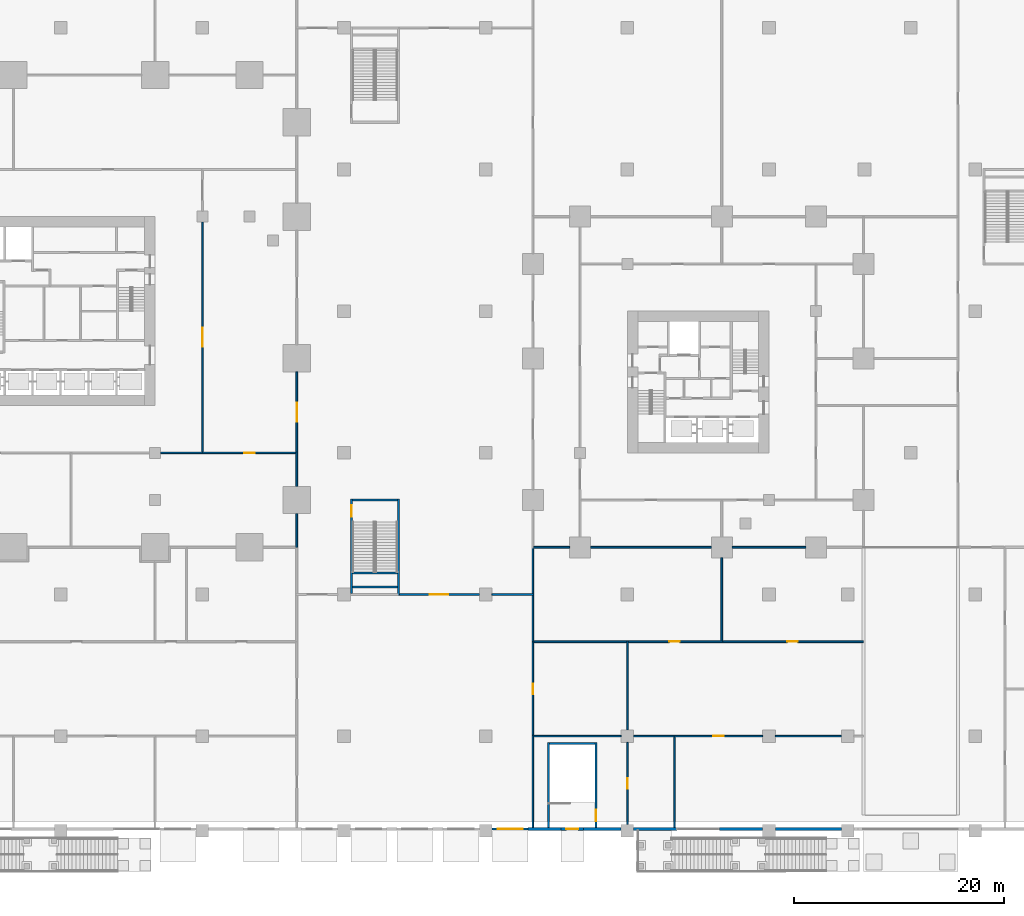
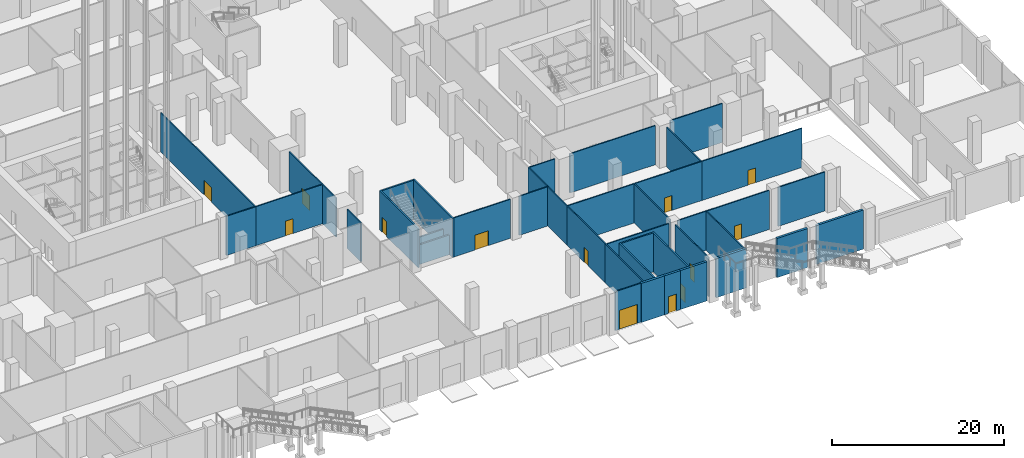
# One storey, part 27 of 68: 41 walls, 13 doors, 13 openings.
"""IFC4 building model written with IfcOpenShell, lengths in metres."""

from ifc_helpers import new_model, si_unit, direction, frame, frame_2d, origin, place, context, subcontext, project, spatial, rectangle, extrude, material, layer, layer_set, type_object, element, fill, save


model = new_model("IFC4")

# Units and contexts
model_context = context("Model", 3, precision=1e-05, world=origin(), true_north=direction((0.0, 1.0)))
body_context = subcontext(model_context, "Body", "Model", "MODEL_VIEW")
ifc_project = project(units=[si_unit("LENGTHUNIT", "METRE"), si_unit("AREAUNIT", "SQUARE_METRE"), si_unit("VOLUMEUNIT", "CUBIC_METRE"), si_unit("PLANEANGLEUNIT", "RADIAN"), si_unit("MASSUNIT", "GRAM", prefix="KILO")], contexts=[model_context])

# Site, building, storey
site_placement = place(None, origin())
site = spatial("IfcSite", under=ifc_project, at=site_placement, CompositionType="ELEMENT")
building_placement = place(site_placement, origin())
building = spatial("IfcBuilding", under=site, at=building_placement, Name="Altepetl Exchange Towers", CompositionType="ELEMENT")
storey_placement = place(building_placement, origin())
storey = spatial("IfcBuildingStorey", under=building, at=storey_placement, Name="L00 Ground concourse", CompositionType="ELEMENT", Elevation=0.0)

# Wall, opening, door
ifc_material_1 = material(Name="Aluminium composite cladding", Category="aluminium")
ifc_layer_1 = layer(ifc_material_1, 0.14990234375)
ifc_layer_set_1 = layer_set([ifc_layer_1], Name="Aluminium composite cladding")
wall_type_1 = type_object("IfcWallType", Name="Infill wall 150 aluminium panel", PredefinedType="SOLIDWALL", material=ifc_layer_set_1)
wall_1_placement = place(storey_placement, frame((90.60009765625, 0.14990234375, 0.0)))
wall_1 = element("IfcWall", 1, at=wall_1_placement, inside=storey, type_object=wall_type_1, Name="Door bay wall", PredefinedType="SOLIDWALL", context=body_context, shape_type="SweptSolid", body=[
    extrude(rectangle(XDim=3.449951171875, YDim=0.14990234375, at=frame_2d((1.72509765625, 0.0))), origin(), (0.0, 0.0, 1.0), 5.550048828125),
])
opening_1_placement = place(wall_1_placement, frame((0.550048828125, 0.0, 0.0)))
opening_1 = element("IfcOpeningElement", 2, at=opening_1_placement, cuts=wall_1, Name="Opening L00.E05", PredefinedType="OPENING", context=body_context, shape_type="SweptSolid", body=[
    extrude(rectangle(XDim=2.39990234375, YDim=2.699951171875, at=frame_2d((1.199951171875, 1.35009765625))), frame((0.0, 0.0849609375, 0.0), z_axis=(0.0, -1.0, 0.0), x_axis=(1.0, 0.0, 0.0)), (0.0, 0.0, 1.0), 0.169921875),
])
ifc_material_2 = material(Name="Aluminium 6063-T6 and glass", Category="aluminium")
door_type_1 = type_object("IfcDoorType", Name="Entrance door pair 2400x2700 pedestrian", OperationType="DOUBLE_DOOR_DOUBLE_SWING", PredefinedType="NOTDEFINED", material=ifc_material_2)
door_1_placement = place(opening_1_placement, frame((2.39990234375, 0.0, 0.0), x_axis=(-1.0, 0.0, 0.0)))
door_1 = element("IfcDoor", 3, at=door_1_placement, inside=storey, type_object=door_type_1, Name="Entrance door", OperationType="DOUBLE_DOOR_DOUBLE_SWING", OverallHeight=2.699951171875, OverallWidth=2.39990234375, PredefinedType="NOTDEFINED", context=body_context, shape_type="SweptSolid", body=[
    extrude(rectangle(XDim=2.39990234375, YDim=2.699951171875, at=frame_2d((1.199951171875, 1.35009765625))), frame((0.0, 0.02490234375, 0.0), z_axis=(0.0, -1.0, 0.0), x_axis=(1.0, 0.0, 0.0)), (0.0, 0.0, 1.0), 0.050048828125),
])
fill(opening_1, door_1)

# Walls
ifc_material_3 = material(Name="Reinforced concrete C35/45", Category="concrete")
ifc_layer_2 = layer(ifc_material_3, 0.199951171875)
ifc_layer_set_2 = layer_set([ifc_layer_2], Name="Reinforced concrete C35/45")
wall_type_2 = type_object("IfcWallType", Name="Landing support wall 200", PredefinedType="SOLIDWALL", material=ifc_layer_set_2)
for number, where, z_axis, x_axis, name in (
    (4, (81.60009765625, 24.5400390625, 0.0), (0.0, 0.0, 1.0), (-1.0, 0.0, 0.0), "wall:P:L00:PX1sup0"),
    (5, (81.60009765625, 23.199951171875, 0.0), (0.0, 0.0, 1.0), (-1.0, 0.0, 0.0), "wall:P:L00:PX1sup1"),
):
    element("IfcWall", number, at=place(storey_placement, frame(where, z_axis=z_axis, x_axis=x_axis)), inside=storey, type_object=wall_type_2, Name=name, PredefinedType="SOLIDWALL", context=body_context, shape_type="SweptSolid", body=[
        extrude(rectangle(XDim=4.300048828125, YDim=0.199951171875, at=frame_2d((2.14990234375, 0.0))), origin(), (0.0, 0.0, 1.0), 2.800048828125),
    ])

# Wall, opening, door
ifc_material_4 = material(Name="Gypsum board on steel studs", Category="steel")
ifc_layer_3 = layer(ifc_material_4, 0.14990234375)
ifc_layer_set_3 = layer_set([ifc_layer_3], Name="Gypsum board on steel studs")
wall_type_3 = type_object("IfcWallType", Name="Podium partition 150", PredefinedType="PARTITIONING", material=ifc_layer_set_3)
wall_2_placement = place(storey_placement, frame((81.800048828125, 22.5, 0.0)))
wall_2 = element("IfcWall", 6, at=wall_2_placement, inside=storey, type_object=wall_type_3, Name="wall:P:L00:P002", PredefinedType="PARTITIONING", context=body_context, shape_type="SweptSolid", body=[
    extrude(rectangle(XDim=7.60498046875, YDim=0.14990234375, at=frame_2d((3.802490234375, 0.0))), origin(), (0.0, 0.0, 1.0), 5.550048828125),
])
opening_2_placement = place(wall_2_placement, frame((2.85009765625, 0.0, 0.0)))
opening_2 = element("IfcOpeningElement", 7, at=opening_2_placement, cuts=wall_2, Name="Opening L00.P065", PredefinedType="OPENING", context=body_context, shape_type="SweptSolid", body=[
    extrude(rectangle(XDim=1.800048828125, YDim=2.10009765625, at=frame_2d((0.89990234375, 1.050048828125))), frame((0.0, 0.0849609375, 0.0), z_axis=(0.0, -1.0, 0.0), x_axis=(1.0, 0.0, 0.0)), (0.0, 0.0, 1.0), 0.169921875),
])
ifc_material_5 = material(Name="Glazed aluminium and steel", Category="steel")
door_type_2 = type_object("IfcDoorType", Name="Podium fire door 1800 x 2100 double leaf", OperationType="DOUBLE_DOOR_SINGLE_SWING", PredefinedType="DOOR", material=ifc_material_5)
door_2_placement = place(opening_2_placement, frame((1.800048828125, 0.0, 0.0), x_axis=(-1.0, 0.0, 0.0)))
door_2 = element("IfcDoor", 8, at=door_2_placement, inside=storey, type_object=door_type_2, Name="door:P:L00:065", OperationType="DOUBLE_DOOR_SINGLE_SWING", OverallHeight=2.10009765625, OverallWidth=1.800048828125, PredefinedType="DOOR", context=body_context, shape_type="SweptSolid", body=[
    extrude(rectangle(XDim=1.800048828125, YDim=2.10009765625, at=frame_2d((0.89990234375, 1.050048828125))), frame((0.0, 0.02490234375, 0.0), z_axis=(0.0, -1.0, 0.0), x_axis=(1.0, 0.0, 0.0)), (0.0, 0.0, 1.0), 0.050048828125),
])
fill(opening_2, door_2)

# Walls
wall_3_placement = place(storey_placement, frame((90.594970703125, 22.5, 0.0)))
element("IfcWall", 9, at=wall_3_placement, inside=storey, type_object=wall_type_3, Name="wall:P:L00:P003", PredefinedType="PARTITIONING", context=body_context, shape_type="SweptSolid", body=[
    extrude(rectangle(XDim=3.97998046875, YDim=0.14990234375, at=frame_2d((1.989990234375, 0.0))), origin(), (0.0, 0.0, 1.0), 5.550048828125),
])
wall_4_placement = place(storey_placement, frame((94.5, 0.300048828125, 0.0), z_axis=(0.0, 0.0, 1.0), x_axis=(0.0, 1.0, 0.0)))
element("IfcWall", 10, at=wall_4_placement, inside=storey, type_object=wall_type_3, Name="wall:P:L00:P007", PredefinedType="PARTITIONING", context=body_context, shape_type="SweptSolid", body=[
    extrude(rectangle(XDim=8.77490234375, YDim=0.14990234375, at=frame_2d((4.387451171875, 0.0))), origin(), (0.0, 0.0, 1.0), 5.550048828125),
])

# Wall, opening, door
wall_5_placement = place(storey_placement, frame((94.5, 9.0, 0.0), z_axis=(0.0, 0.0, 1.0), x_axis=(0.0, 1.0, 0.0)))
wall_5 = element("IfcWall", 11, at=wall_5_placement, inside=storey, type_object=wall_type_3, Name="wall:P:L00:P008", PredefinedType="PARTITIONING", context=body_context, shape_type="SweptSolid", body=[
    extrude(rectangle(XDim=9.074951171875, YDim=0.14990234375, at=frame_2d((4.53759765625, 0.0))), origin(), (0.0, 0.0, 1.0), 5.550048828125),
])
opening_3_placement = place(wall_5_placement, frame((4.0, 0.0, 0.0)))
opening_3 = element("IfcOpeningElement", 12, at=opening_3_placement, cuts=wall_5, Name="Opening L00.P038", PredefinedType="OPENING", context=body_context, shape_type="SweptSolid", body=[
    extrude(rectangle(XDim=1.0, YDim=2.10009765625, at=frame_2d((0.5, 1.050048828125))), frame((0.0, 0.0849609375, 0.0), z_axis=(0.0, -1.0, 0.0), x_axis=(1.0, 0.0, 0.0)), (0.0, 0.0, 1.0), 0.169921875),
])
ifc_material_6 = material(Name="Steel and timber fire door", Category="steel")
door_type_3 = type_object("IfcDoorType", Name="Podium fire door 1000 x 2100 single leaf", OperationType="SINGLE_SWING_LEFT", PredefinedType="DOOR", material=ifc_material_6)
door_3_placement = place(opening_3_placement, frame((1.0, 0.0, 0.0), x_axis=(-1.0, 0.0, 0.0)))
door_3 = element("IfcDoor", 13, at=door_3_placement, inside=storey, type_object=door_type_3, Name="door:P:L00:038", OperationType="SINGLE_SWING_LEFT", OverallHeight=2.10009765625, OverallWidth=1.0, PredefinedType="DOOR", context=body_context, shape_type="SweptSolid", body=[
    extrude(rectangle(XDim=1.0, YDim=2.10009765625, at=frame_2d((0.5, 1.050048828125))), frame((0.0, 0.02490234375, 0.0), z_axis=(0.0, -1.0, 0.0), x_axis=(1.0, 0.0, 0.0)), (0.0, 0.0, 1.0), 0.050048828125),
])
fill(opening_3, door_3)

# Walls
wall_6_placement = place(storey_placement, frame((94.5, 18.0, 0.0), z_axis=(0.0, 0.0, 1.0), x_axis=(0.0, 1.0, 0.0)))
element("IfcWall", 14, at=wall_6_placement, inside=storey, type_object=wall_type_3, Name="wall:P:L00:P009", PredefinedType="PARTITIONING", context=body_context, shape_type="SweptSolid", body=[
    extrude(rectangle(XDim=4.425048828125, YDim=0.14990234375, at=frame_2d((2.21240234375, 0.0))), origin(), (0.0, 0.0, 1.0), 5.550048828125),
])
wall_7_placement = place(storey_placement, frame((72.0, 27.0, 0.0), z_axis=(0.0, 0.0, 1.0), x_axis=(0.0, 1.0, 0.0)))
element("IfcWall", 15, at=wall_7_placement, inside=storey, type_object=wall_type_3, Name="wall:P:L00:P016", PredefinedType="PARTITIONING", context=body_context, shape_type="SweptSolid", body=[
    extrude(rectangle(XDim=3.205078125, YDim=0.14990234375, at=frame_2d((1.6025390625, 0.0))), origin(), (0.0, 0.0, 1.0), 5.550048828125),
])
wall_8_placement = place(storey_placement, frame((72.0, 32.794921875, 0.0), z_axis=(0.0, 0.0, 1.0), x_axis=(0.0, 1.0, 0.0)))
element("IfcWall", 16, at=wall_8_placement, inside=storey, type_object=wall_type_3, Name="wall:P:L00:P017", PredefinedType="PARTITIONING", context=body_context, shape_type="SweptSolid", body=[
    extrude(rectangle(XDim=3.280029296875, YDim=0.14990234375, at=frame_2d((1.64013671875, 0.0))), origin(), (0.0, 0.0, 1.0), 5.550048828125),
])

# Wall, opening, door
wall_9_placement = place(storey_placement, frame((72.0, 36.0, 0.0), z_axis=(0.0, 0.0, 1.0), x_axis=(0.0, 1.0, 0.0)))
wall_9 = element("IfcWall", 17, at=wall_9_placement, inside=storey, type_object=wall_type_3, Name="wall:P:L00:P020", PredefinedType="PARTITIONING", context=body_context, shape_type="SweptSolid", body=[
    extrude(rectangle(XDim=7.705078125, YDim=0.14990234375, at=frame_2d((3.8525390625, 0.0))), origin(), (0.0, 0.0, 1.0), 5.550048828125),
])
opening_4_placement = place(wall_9_placement, frame((2.949951171875, 0.0, 0.0)))
opening_4 = element("IfcOpeningElement", 18, at=opening_4_placement, cuts=wall_9, Name="Opening L00.P071", PredefinedType="OPENING", context=body_context, shape_type="SweptSolid", body=[
    extrude(rectangle(XDim=1.800048828125, YDim=2.10009765625, at=frame_2d((0.89990234375, 1.050048828125))), frame((0.0, 0.0849609375, 0.0), z_axis=(0.0, -1.0, 0.0), x_axis=(1.0, 0.0, 0.0)), (0.0, 0.0, 1.0), 0.169921875),
])
door_4_placement = place(opening_4_placement, origin())
door_4 = element("IfcDoor", 19, at=door_4_placement, inside=storey, type_object=door_type_2, Name="door:P:L00:071", OperationType="DOUBLE_DOOR_SINGLE_SWING", OverallHeight=2.10009765625, OverallWidth=1.800048828125, PredefinedType="DOOR", context=body_context, shape_type="SweptSolid", body=[
    extrude(rectangle(XDim=1.800048828125, YDim=2.10009765625, at=frame_2d((0.89990234375, 1.050048828125))), frame((0.0, 0.02490234375, 0.0), z_axis=(0.0, -1.0, 0.0), x_axis=(1.0, 0.0, 0.0)), (0.0, 0.0, 1.0), 0.050048828125),
])
fill(opening_4, door_4)

# Wall
wall_10_placement = place(storey_placement, frame((94.5, 22.5, 0.0), z_axis=(0.0, 0.0, 1.0), x_axis=(0.0, 1.0, 0.0)))
element("IfcWall", 20, at=wall_10_placement, inside=storey, type_object=wall_type_3, Name="wall:P:L00:P027", PredefinedType="PARTITIONING", context=body_context, shape_type="SweptSolid", body=[
    extrude(rectangle(XDim=4.5, YDim=0.14990234375, at=frame_2d((2.25, 0.0))), origin(), (0.0, 0.0, 1.0), 5.550048828125),
])

# Wall, opening, door
wall_11_placement = place(storey_placement, frame((62.925048828125, 36.0, 0.0)))
wall_11 = element("IfcWall", 21, at=wall_11_placement, inside=storey, type_object=wall_type_3, Name="wall:P:L00:P169", PredefinedType="PARTITIONING", context=body_context, shape_type="SweptSolid", body=[
    extrude(rectangle(XDim=9.0, YDim=0.14990234375, at=frame_2d((4.5, 0.0))), origin(), (0.0, 0.0, 1.0), 5.550048828125),
])
opening_5_placement = place(wall_11_placement, frame((4.074951171875, 0.0, 0.0)))
opening_5 = element("IfcOpeningElement", 22, at=opening_5_placement, cuts=wall_11, Name="Opening L00.P027", PredefinedType="OPENING", context=body_context, shape_type="SweptSolid", body=[
    extrude(rectangle(XDim=1.0, YDim=2.10009765625, at=frame_2d((0.5, 1.050048828125))), frame((0.0, 0.0849609375, 0.0), z_axis=(0.0, -1.0, 0.0), x_axis=(1.0, 0.0, 0.0)), (0.0, 0.0, 1.0), 0.169921875),
])
door_5_placement = place(opening_5_placement, frame((1.0, 0.0, 0.0), x_axis=(-1.0, 0.0, 0.0)))
door_5 = element("IfcDoor", 23, at=door_5_placement, inside=storey, type_object=door_type_3, Name="door:P:L00:027", OperationType="SINGLE_SWING_LEFT", OverallHeight=2.10009765625, OverallWidth=1.0, PredefinedType="DOOR", context=body_context, shape_type="SweptSolid", body=[
    extrude(rectangle(XDim=1.0, YDim=2.10009765625, at=frame_2d((0.5, 1.050048828125))), frame((0.0, 0.02490234375, 0.0), z_axis=(0.0, -1.0, 0.0), x_axis=(1.0, 0.0, 0.0)), (0.0, 0.0, 1.0), 0.050048828125),
])
fill(opening_5, door_5)

# Wall
wall_12_placement = place(storey_placement, frame((59.02001953125, 36.0, 0.0)))
element("IfcWall", 24, at=wall_12_placement, inside=storey, type_object=wall_type_3, Name="wall:P:L00:P171", PredefinedType="PARTITIONING", context=body_context, shape_type="SweptSolid", body=[
    extrude(rectangle(XDim=3.97998046875, YDim=0.14990234375, at=frame_2d((1.989990234375, 0.0))), origin(), (0.0, 0.0, 1.0), 5.550048828125),
])

# Wall, opening, door
wall_13_placement = place(storey_placement, frame((63.0, 36.074951171875, 0.0), z_axis=(0.0, 0.0, 1.0), x_axis=(0.0, 1.0, 0.0)))
wall_13 = element("IfcWall", 25, at=wall_13_placement, inside=storey, type_object=wall_type_3, Name="wall:P:L00:P177", PredefinedType="PARTITIONING", context=body_context, shape_type="SweptSolid", body=[
    extrude(rectangle(XDim=21.905029296875, YDim=0.14990234375, at=frame_2d((10.95263671875, 0.0))), origin(), (0.0, 0.0, 1.0), 5.550048828125),
])
opening_6_placement = place(wall_13_placement, frame((10.02490234375, 0.0, 0.0)))
opening_6 = element("IfcOpeningElement", 26, at=opening_6_placement, cuts=wall_13, Name="Opening L00.P085", PredefinedType="OPENING", context=body_context, shape_type="SweptSolid", body=[
    extrude(rectangle(XDim=1.800048828125, YDim=2.10009765625, at=frame_2d((0.89990234375, 1.050048828125))), frame((0.0, 0.0849609375, 0.0), z_axis=(0.0, -1.0, 0.0), x_axis=(1.0, 0.0, 0.0)), (0.0, 0.0, 1.0), 0.169921875),
])
door_6_placement = place(opening_6_placement, frame((1.800048828125, 0.0, 0.0), x_axis=(-1.0, 0.0, 0.0)))
door_6 = element("IfcDoor", 27, at=door_6_placement, inside=storey, type_object=door_type_2, Name="door:P:L00:085", OperationType="DOUBLE_DOOR_SINGLE_SWING", OverallHeight=2.10009765625, OverallWidth=1.800048828125, PredefinedType="DOOR", context=body_context, shape_type="SweptSolid", body=[
    extrude(rectangle(XDim=1.800048828125, YDim=2.10009765625, at=frame_2d((0.89990234375, 1.050048828125))), frame((0.0, 0.02490234375, 0.0), z_axis=(0.0, -1.0, 0.0), x_axis=(1.0, 0.0, 0.0)), (0.0, 0.0, 1.0), 0.050048828125),
])
fill(opening_6, door_6)

# Walls
wall_14_placement = place(storey_placement, frame((94.574951171875, 27.0, 0.0)))
element("IfcWall", 28, at=wall_14_placement, inside=storey, type_object=wall_type_3, Name="wall:P:L00:P183", PredefinedType="PARTITIONING", context=body_context, shape_type="SweptSolid", body=[
    extrude(rectangle(XDim=3.429931640625, YDim=0.14990234375, at=frame_2d((1.71484375, 0.0))), origin(), (0.0, 0.0, 1.0), 5.550048828125),
])
wall_15_placement = place(storey_placement, frame((99.9951171875, 27.0, 0.0)))
element("IfcWall", 29, at=wall_15_placement, inside=storey, type_object=wall_type_3, Name="wall:P:L00:P196", PredefinedType="PARTITIONING", context=body_context, shape_type="SweptSolid", body=[
    extrude(rectangle(XDim=11.509765625, YDim=0.14990234375, at=frame_2d((5.7548828125, 0.0))), origin(), (0.0, 0.0, 1.0), 5.550048828125),
])
wall_16_placement = place(storey_placement, frame((113.4951171875, 27.0, 0.0)))
element("IfcWall", 30, at=wall_16_placement, inside=storey, type_object=wall_type_3, Name="wall:P:L00:P198", PredefinedType="PARTITIONING", context=body_context, shape_type="SweptSolid", body=[
    extrude(rectangle(XDim=7.009765625, YDim=0.14990234375, at=frame_2d((3.5048828125, 0.0))), origin(), (0.0, 0.0, 1.0), 5.550048828125),
])

# Wall, opening, door
wall_17_placement = place(storey_placement, frame((103.5, 0.594970703125, 0.0), z_axis=(0.0, 0.0, 1.0), x_axis=(0.0, 1.0, 0.0)))
wall_17 = element("IfcWall", 31, at=wall_17_placement, inside=storey, type_object=wall_type_3, Name="wall:P:L00:P214", PredefinedType="PARTITIONING", context=body_context, shape_type="SweptSolid", body=[
    extrude(rectangle(XDim=7.81005859375, YDim=0.14990234375, at=frame_2d((3.905029296875, 0.0))), origin(), (0.0, 0.0, 1.0), 5.550048828125),
])
opening_7_placement = place(wall_17_placement, frame((3.39990234375, 0.0, 0.0)))
opening_7 = element("IfcOpeningElement", 32, at=opening_7_placement, cuts=wall_17, Name="Opening L00.P036", PredefinedType="OPENING", context=body_context, shape_type="SweptSolid", body=[
    extrude(rectangle(XDim=1.0, YDim=2.10009765625, at=frame_2d((0.5, 1.050048828125))), frame((0.0, 0.0849609375, 0.0), z_axis=(0.0, -1.0, 0.0), x_axis=(1.0, 0.0, 0.0)), (0.0, 0.0, 1.0), 0.169921875),
])
door_7_placement = place(opening_7_placement, frame((1.0, 0.0, 0.0), x_axis=(-1.0, 0.0, 0.0)))
door_7 = element("IfcDoor", 33, at=door_7_placement, inside=storey, type_object=door_type_3, Name="door:P:L00:036", OperationType="SINGLE_SWING_LEFT", OverallHeight=2.10009765625, OverallWidth=1.0, PredefinedType="DOOR", context=body_context, shape_type="SweptSolid", body=[
    extrude(rectangle(XDim=1.0, YDim=2.10009765625, at=frame_2d((0.5, 1.050048828125))), frame((0.0, 0.02490234375, 0.0), z_axis=(0.0, -1.0, 0.0), x_axis=(1.0, 0.0, 0.0)), (0.0, 0.0, 1.0), 0.050048828125),
])
fill(opening_7, door_7)

# Walls
wall_18_placement = place(storey_placement, frame((94.574951171875, 9.0, 0.0)))
element("IfcWall", 34, at=wall_18_placement, inside=storey, type_object=wall_type_3, Name="wall:P:L00:P215", PredefinedType="PARTITIONING", context=body_context, shape_type="SweptSolid", body=[
    extrude(rectangle(XDim=8.330078125, YDim=0.14990234375, at=frame_2d((4.1650390625, 0.0))), origin(), (0.0, 0.0, 1.0), 5.550048828125),
])
wall_19_placement = place(storey_placement, frame((108.0, 0.300048828125, 0.0), z_axis=(0.0, 0.0, 1.0), x_axis=(0.0, 1.0, 0.0)))
element("IfcWall", 35, at=wall_19_placement, inside=storey, type_object=wall_type_3, Name="wall:P:L00:P219", PredefinedType="PARTITIONING", context=body_context, shape_type="SweptSolid", body=[
    extrude(rectangle(XDim=8.77490234375, YDim=0.14990234375, at=frame_2d((4.387451171875, 0.0))), origin(), (0.0, 0.0, 1.0), 5.550048828125),
])
wall_20_placement = place(storey_placement, frame((104.094970703125, 9.0, 0.0)))
element("IfcWall", 36, at=wall_20_placement, inside=storey, type_object=wall_type_3, Name="wall:P:L00:P220", PredefinedType="PARTITIONING", context=body_context, shape_type="SweptSolid", body=[
    extrude(rectangle(XDim=3.830078125, YDim=0.14990234375, at=frame_2d((1.9150390625, 0.0))), origin(), (0.0, 0.0, 1.0), 5.550048828125),
])

# Wall, opening, door
wall_21_placement = place(storey_placement, frame((108.0, 9.0, 0.0)))
wall_21 = element("IfcWall", 37, at=wall_21_placement, inside=storey, type_object=wall_type_3, Name="wall:P:L00:P221", PredefinedType="PARTITIONING", context=body_context, shape_type="SweptSolid", body=[
    extrude(rectangle(XDim=8.405029296875, YDim=0.14990234375, at=frame_2d((4.20263671875, 0.0))), origin(), (0.0, 0.0, 1.0), 5.550048828125),
])
opening_8_placement = place(wall_21_placement, frame((3.699951171875, 0.0, 0.0)))
opening_8 = element("IfcOpeningElement", 38, at=opening_8_placement, cuts=wall_21, Name="Opening L00.P037", PredefinedType="OPENING", context=body_context, shape_type="SweptSolid", body=[
    extrude(rectangle(XDim=1.0, YDim=2.10009765625, at=frame_2d((0.5, 1.050048828125))), frame((0.0, 0.0849609375, 0.0), z_axis=(0.0, -1.0, 0.0), x_axis=(1.0, 0.0, 0.0)), (0.0, 0.0, 1.0), 0.169921875),
])
door_8_placement = place(opening_8_placement, frame((1.0, 0.0, 0.0), x_axis=(-1.0, 0.0, 0.0)))
door_8 = element("IfcDoor", 39, at=door_8_placement, inside=storey, type_object=door_type_3, Name="door:P:L00:037", OperationType="SINGLE_SWING_LEFT", OverallHeight=2.10009765625, OverallWidth=1.0, PredefinedType="DOOR", context=body_context, shape_type="SweptSolid", body=[
    extrude(rectangle(XDim=1.0, YDim=2.10009765625, at=frame_2d((0.5, 1.050048828125))), frame((0.0, 0.02490234375, 0.0), z_axis=(0.0, -1.0, 0.0), x_axis=(1.0, 0.0, 0.0)), (0.0, 0.0, 1.0), 0.050048828125),
])
fill(opening_8, door_8)

# Walls
wall_22_placement = place(storey_placement, frame((117.594970703125, 9.0, 0.0)))
element("IfcWall", 40, at=wall_22_placement, inside=storey, type_object=wall_type_3, Name="wall:P:L00:P222", PredefinedType="PARTITIONING", context=body_context, shape_type="SweptSolid", body=[
    extrude(rectangle(XDim=6.31005859375, YDim=0.14990234375, at=frame_2d((3.155029296875, 0.0))), origin(), (0.0, 0.0, 1.0), 5.550048828125),
])
wall_23_placement = place(storey_placement, frame((103.5, 9.594970703125, 0.0), z_axis=(0.0, 0.0, 1.0), x_axis=(0.0, 1.0, 0.0)))
element("IfcWall", 41, at=wall_23_placement, inside=storey, type_object=wall_type_3, Name="wall:P:L00:P224", PredefinedType="PARTITIONING", context=body_context, shape_type="SweptSolid", body=[
    extrude(rectangle(XDim=8.47998046875, YDim=0.14990234375, at=frame_2d((4.239990234375, 0.0))), origin(), (0.0, 0.0, 1.0), 5.550048828125),
])
wall_24_placement = place(storey_placement, frame((94.574951171875, 18.0, 0.0)))
element("IfcWall", 42, at=wall_24_placement, inside=storey, type_object=wall_type_3, Name="wall:P:L00:P225", PredefinedType="PARTITIONING", context=body_context, shape_type="SweptSolid", body=[
    extrude(rectangle(XDim=8.85009765625, YDim=0.14990234375, at=frame_2d((4.425048828125, 0.0))), origin(), (0.0, 0.0, 1.0), 5.550048828125),
])

# Wall, opening, door
wall_25_placement = place(storey_placement, frame((103.5, 18.0, 0.0)))
wall_25 = element("IfcWall", 43, at=wall_25_placement, inside=storey, type_object=wall_type_3, Name="wall:P:L00:P226", PredefinedType="PARTITIONING", context=body_context, shape_type="SweptSolid", body=[
    extrude(rectangle(XDim=9.074951171875, YDim=0.14990234375, at=frame_2d((4.53759765625, 0.0))), origin(), (0.0, 0.0, 1.0), 5.550048828125),
])
opening_9_placement = place(wall_25_placement, frame((4.0, 0.0, 0.0)))
opening_9 = element("IfcOpeningElement", 44, at=opening_9_placement, cuts=wall_25, Name="Opening L00.P039", PredefinedType="OPENING", context=body_context, shape_type="SweptSolid", body=[
    extrude(rectangle(XDim=1.0, YDim=2.10009765625, at=frame_2d((0.5, 1.050048828125))), frame((0.0, 0.0849609375, 0.0), z_axis=(0.0, -1.0, 0.0), x_axis=(1.0, 0.0, 0.0)), (0.0, 0.0, 1.0), 0.169921875),
])
door_9_placement = place(opening_9_placement, origin())
door_9 = element("IfcDoor", 45, at=door_9_placement, inside=storey, type_object=door_type_3, Name="door:P:L00:039", OperationType="SINGLE_SWING_RIGHT", OverallHeight=2.10009765625, OverallWidth=1.0, PredefinedType="DOOR", context=body_context, shape_type="SweptSolid", body=[
    extrude(rectangle(XDim=1.0, YDim=2.10009765625, at=frame_2d((0.5, 1.050048828125))), frame((0.0, 0.02490234375, 0.0), z_axis=(0.0, -1.0, 0.0), x_axis=(1.0, 0.0, 0.0)), (0.0, 0.0, 1.0), 0.050048828125),
])
fill(opening_9, door_9)

wall_26_placement = place(storey_placement, frame((112.5, 18.0, 0.0)))
wall_26 = element("IfcWall", 46, at=wall_26_placement, inside=storey, type_object=wall_type_3, Name="wall:P:L00:P227", PredefinedType="PARTITIONING", context=body_context, shape_type="SweptSolid", body=[
    extrude(rectangle(XDim=13.5, YDim=0.14990234375, at=frame_2d((6.75, 0.0))), origin(), (0.0, 0.0, 1.0), 5.550048828125),
])
opening_10_placement = place(wall_26_placement, frame((6.25, 0.0, 0.0)))
opening_10 = element("IfcOpeningElement", 47, at=opening_10_placement, cuts=wall_26, Name="Opening L00.P040", PredefinedType="OPENING", context=body_context, shape_type="SweptSolid", body=[
    extrude(rectangle(XDim=1.0, YDim=2.10009765625, at=frame_2d((0.5, 1.050048828125))), frame((0.0, 0.0849609375, 0.0), z_axis=(0.0, -1.0, 0.0), x_axis=(1.0, 0.0, 0.0)), (0.0, 0.0, 1.0), 0.169921875),
])
door_10_placement = place(opening_10_placement, origin())
door_10 = element("IfcDoor", 48, at=door_10_placement, inside=storey, type_object=door_type_3, Name="door:P:L00:040", OperationType="SINGLE_SWING_RIGHT", OverallHeight=2.10009765625, OverallWidth=1.0, PredefinedType="DOOR", context=body_context, shape_type="SweptSolid", body=[
    extrude(rectangle(XDim=1.0, YDim=2.10009765625, at=frame_2d((0.5, 1.050048828125))), frame((0.0, 0.02490234375, 0.0), z_axis=(0.0, -1.0, 0.0), x_axis=(1.0, 0.0, 0.0)), (0.0, 0.0, 1.0), 0.050048828125),
])
fill(opening_10, door_10)

# Wall
wall_27_placement = place(storey_placement, frame((112.5, 18.074951171875, 0.0), z_axis=(0.0, 0.0, 1.0), x_axis=(0.0, 1.0, 0.0)))
element("IfcWall", 49, at=wall_27_placement, inside=storey, type_object=wall_type_3, Name="wall:P:L00:P228", PredefinedType="PARTITIONING", context=body_context, shape_type="SweptSolid", body=[
    extrude(rectangle(XDim=7.929931640625, YDim=0.14990234375, at=frame_2d((3.96484375, 0.0))), origin(), (0.0, 0.0, 1.0), 5.550048828125),
])

# Wall, opening, door
ifc_layer_4 = layer(ifc_material_3, 0.199951171875)
ifc_layer_set_4 = layer_set([ifc_layer_4], Name="Reinforced concrete C35/45")
wall_type_4 = type_object("IfcWallType", Name="Stair enclosure wall 200", PredefinedType="SOLIDWALL", material=ifc_layer_set_4)
wall_28_placement = place(storey_placement, frame((77.199951171875, 22.60009765625, 0.0), z_axis=(0.0, 0.0, 1.0), x_axis=(0.0, 1.0, 0.0)))
wall_28 = element("IfcWall", 50, at=wall_28_placement, inside=storey, type_object=wall_type_4, Name="wall:P:L00:P029", PredefinedType="SOLIDWALL", context=body_context, shape_type="SweptSolid", body=[
    extrude(rectangle(XDim=9.0, YDim=0.199951171875, at=frame_2d((4.5, 0.0))), origin(), (0.0, 0.0, 1.0), 5.550048828125),
])
opening_11_placement = place(wall_28_placement, frame((7.300048828125, 0.0, 0.0)))
opening_11 = element("IfcOpeningElement", 51, at=opening_11_placement, cuts=wall_28, Name="Opening L00.P061", PredefinedType="OPENING", context=body_context, shape_type="SweptSolid", body=[
    extrude(rectangle(XDim=1.10009765625, YDim=2.10009765625, at=frame_2d((0.550048828125, 1.050048828125))), frame((0.0, 0.10986328125, 0.0), z_axis=(0.0, -1.0, 0.0), x_axis=(1.0, 0.0, 0.0)), (0.0, 0.0, 1.0), 0.219970703125),
])
ifc_material_7 = material(Name="Steel fire door", Category="steel")
door_type_4 = type_object("IfcDoorType", Name="Podium fire door 1100 x 2100 single leaf", OperationType="SINGLE_SWING_LEFT", PredefinedType="DOOR", material=ifc_material_7)
door_11_placement = place(opening_11_placement, origin())
door_11 = element("IfcDoor", 52, at=door_11_placement, inside=storey, type_object=door_type_4, Name="door:P:L00:061", OperationType="SINGLE_SWING_LEFT", OverallHeight=2.10009765625, OverallWidth=1.10009765625, PredefinedType="DOOR", context=body_context, shape_type="SweptSolid", body=[
    extrude(rectangle(XDim=1.10009765625, YDim=2.10009765625, at=frame_2d((0.550048828125, 1.050048828125))), frame((0.0, 0.02490234375, 0.0), z_axis=(0.0, -1.0, 0.0), x_axis=(1.0, 0.0, 0.0)), (0.0, 0.0, 1.0), 0.050048828125),
])
fill(opening_11, door_11)

# Walls
wall_29_placement = place(storey_placement, frame((81.699951171875, 22.425048828125, 0.0), z_axis=(0.0, 0.0, 1.0), x_axis=(0.0, 1.0, 0.0)))
element("IfcWall", 53, at=wall_29_placement, inside=storey, type_object=wall_type_4, Name="wall:P:L00:P030", PredefinedType="SOLIDWALL", context=body_context, shape_type="SweptSolid", body=[
    extrude(rectangle(XDim=9.175048828125, YDim=0.199951171875, at=frame_2d((4.58740234375, 0.0))), origin(), (0.0, 0.0, 1.0), 5.550048828125),
])
wall_30_placement = place(storey_placement, frame((77.300048828125, 31.5, 0.0)))
element("IfcWall", 54, at=wall_30_placement, inside=storey, type_object=wall_type_4, Name="wall:P:L00:P031", PredefinedType="SOLIDWALL", context=body_context, shape_type="SweptSolid", body=[
    extrude(rectangle(XDim=4.300048828125, YDim=0.199951171875, at=frame_2d((2.14990234375, 0.0))), origin(), (0.0, 0.0, 1.0), 5.550048828125),
])
wall_31_placement = place(storey_placement, frame((96.0, 0.300048828125, 0.0), z_axis=(0.0, 0.0, 1.0), x_axis=(0.0, 1.0, 0.0)))
element("IfcWall", 55, at=wall_31_placement, inside=storey, type_object=wall_type_4, Name="wall:P:L00:P216", PredefinedType="SOLIDWALL", context=body_context, shape_type="SweptSolid", body=[
    extrude(rectangle(XDim=8.099853515625, YDim=0.199951171875, at=frame_2d((4.0498046875, 0.0))), origin(), (0.0, 0.0, 1.0), 5.550048828125),
])

# Wall, opening, door
wall_32_placement = place(storey_placement, frame((100.5, 0.300048828125, 0.0), z_axis=(0.0, 0.0, 1.0), x_axis=(0.0, 1.0, 0.0)))
wall_32 = element("IfcWall", 56, at=wall_32_placement, inside=storey, type_object=wall_type_4, Name="wall:P:L00:P217", PredefinedType="SOLIDWALL", context=body_context, shape_type="SweptSolid", body=[
    extrude(rectangle(XDim=8.099853515625, YDim=0.199951171875, at=frame_2d((4.0498046875, 0.0))), origin(), (0.0, 0.0, 1.0), 5.550048828125),
])
opening_12_placement = place(wall_32_placement, frame((0.60009765625, 0.0, 0.0)))
opening_12 = element("IfcOpeningElement", 57, at=opening_12_placement, cuts=wall_32, Name="Opening L00.P054", PredefinedType="OPENING", context=body_context, shape_type="SweptSolid", body=[
    extrude(rectangle(XDim=1.10009765625, YDim=2.10009765625, at=frame_2d((0.550048828125, 1.050048828125))), frame((0.0, 0.10986328125, 0.0), z_axis=(0.0, -1.0, 0.0), x_axis=(1.0, 0.0, 0.0)), (0.0, 0.0, 1.0), 0.219970703125),
])
door_12_placement = place(opening_12_placement, frame((1.10009765625, 0.0, 0.0), x_axis=(-1.0, 0.0, 0.0)))
door_12 = element("IfcDoor", 58, at=door_12_placement, inside=storey, type_object=door_type_4, Name="door:P:L00:054", OperationType="SINGLE_SWING_LEFT", OverallHeight=2.10009765625, OverallWidth=1.10009765625, PredefinedType="DOOR", context=body_context, shape_type="SweptSolid", body=[
    extrude(rectangle(XDim=1.10009765625, YDim=2.10009765625, at=frame_2d((0.550048828125, 1.050048828125))), frame((0.0, 0.02490234375, 0.0), z_axis=(0.0, -1.0, 0.0), x_axis=(1.0, 0.0, 0.0)), (0.0, 0.0, 1.0), 0.050048828125),
])
fill(opening_12, door_12)

# Walls
wall_33_placement = place(storey_placement, frame((96.10009765625, 8.300048828125, 0.0)))
element("IfcWall", 59, at=wall_33_placement, inside=storey, type_object=wall_type_4, Name="wall:P:L00:P218", PredefinedType="SOLIDWALL", context=body_context, shape_type="SweptSolid", body=[
    extrude(rectangle(XDim=4.2998046875, YDim=0.199951171875, at=frame_2d((2.14990234375, 0.0))), origin(), (0.0, 0.0, 1.0), 5.550048828125),
])
ifc_material_8 = material(Name="Cantera limestone cladding", Category="masonry")
ifc_layer_5 = layer(ifc_material_8, 0.300048828125)
ifc_layer_set_5 = layer_set([ifc_layer_5], Name="Cantera limestone cladding")
wall_type_5 = type_object("IfcWallType", Name="Stone wall panel 300", PredefinedType="ELEMENTEDWALL", material=ifc_layer_set_5)
wall_34_placement = place(storey_placement, frame((94.050048828125, 0.14990234375, 0.0)))
element("IfcWall", 60, at=wall_34_placement, inside=storey, type_object=wall_type_5, Name="Stone wall panel", PredefinedType="ELEMENTEDWALL", context=body_context, shape_type="SweptSolid", body=[
    extrude(rectangle(XDim=3.14990234375, YDim=0.300048828125, at=frame_2d((1.574951171875, 0.0))), origin(), (0.0, 0.0, 1.0), 5.550048828125),
])

# Wall, opening, door
wall_35_placement = place(storey_placement, frame((97.199951171875, 0.14990234375, 0.0)))
wall_35 = element("IfcWall", 61, at=wall_35_placement, inside=storey, type_object=wall_type_5, Name="Stone wall panel", PredefinedType="ELEMENTEDWALL", context=body_context, shape_type="SweptSolid", body=[
    extrude(rectangle(XDim=2.10009765625, YDim=0.300048828125, at=frame_2d((1.050048828125, 0.0))), origin(), (0.0, 0.0, 1.0), 5.550048828125),
])
opening_13_placement = place(wall_35_placement, frame((0.5, 0.0, 0.0)))
opening_13 = element("IfcOpeningElement", 62, at=opening_13_placement, cuts=wall_35, Name="Opening L00.E62", PredefinedType="OPENING", context=body_context, shape_type="SweptSolid", body=[
    extrude(rectangle(XDim=1.10009765625, YDim=2.39990234375, at=frame_2d((0.550048828125, 1.199951171875))), frame((0.0, 0.16015625, 0.0), z_axis=(0.0, -1.0, 0.0), x_axis=(1.0, 0.0, 0.0)), (0.0, 0.0, 1.0), 0.320068359375),
])
ifc_material_9 = material(Name="Steel S275", Category="steel")
door_type_5 = type_object("IfcDoorType", Name="Exit door 1100x2400 pedestrian", OperationType="SINGLE_SWING_LEFT", PredefinedType="NOTDEFINED", material=ifc_material_9)
door_13_placement = place(opening_13_placement, frame((1.10009765625, 0.0, 0.0), x_axis=(-1.0, 0.0, 0.0)))
door_13 = element("IfcDoor", 63, at=door_13_placement, inside=storey, type_object=door_type_5, Name="Exit door", OperationType="SINGLE_SWING_RIGHT", OverallHeight=2.39990234375, OverallWidth=1.10009765625, PredefinedType="NOTDEFINED", context=body_context, shape_type="SweptSolid", body=[
    extrude(rectangle(XDim=1.10009765625, YDim=2.39990234375, at=frame_2d((0.550048828125, 1.199951171875))), frame((0.0, 0.02490234375, 0.0), z_axis=(0.0, -1.0, 0.0), x_axis=(1.0, 0.0, 0.0)), (0.0, 0.0, 1.0), 0.050048828125),
])
fill(opening_13, door_13)

# Walls
wall_36_placement = place(storey_placement, frame((99.300048828125, 0.14990234375, 0.0)))
element("IfcWall", 64, at=wall_36_placement, inside=storey, type_object=wall_type_5, Name="Stone wall panel", PredefinedType="ELEMENTEDWALL", context=body_context, shape_type="SweptSolid", body=[
    extrude(rectangle(XDim=3.599853515625, YDim=0.300048828125, at=frame_2d((1.7998046875, 0.0))), origin(), (0.0, 0.0, 1.0), 5.550048828125),
])
for number, where, name in (
    (65, (104.10009765625, 0.14990234375, 0.0), "Stone wall panel"),
    (66, (112.283447265625, 0.14990234375, 0.0), "Stone wall panel"),
):
    element("IfcWall", number, at=place(storey_placement, frame(where)), inside=storey, type_object=wall_type_5, Name=name, PredefinedType="ELEMENTEDWALL", context=body_context, shape_type="SweptSolid", body=[
        extrude(rectangle(XDim=4.116455078125, YDim=0.300048828125, at=frame_2d((2.05810546875, 0.0))), origin(), (0.0, 0.0, 1.0), 5.550048828125),
    ])
wall_37_placement = place(storey_placement, frame((117.60009765625, 0.14990234375, 0.0)))
element("IfcWall", 67, at=wall_37_placement, inside=storey, type_object=wall_type_5, Name="Stone wall panel", PredefinedType="ELEMENTEDWALL", context=body_context, shape_type="SweptSolid", body=[
    extrude(rectangle(XDim=6.2998046875, YDim=0.300048828125, at=frame_2d((3.14990234375, 0.0))), origin(), (0.0, 0.0, 1.0), 5.550048828125),
])

save(model, "model.ifc")
